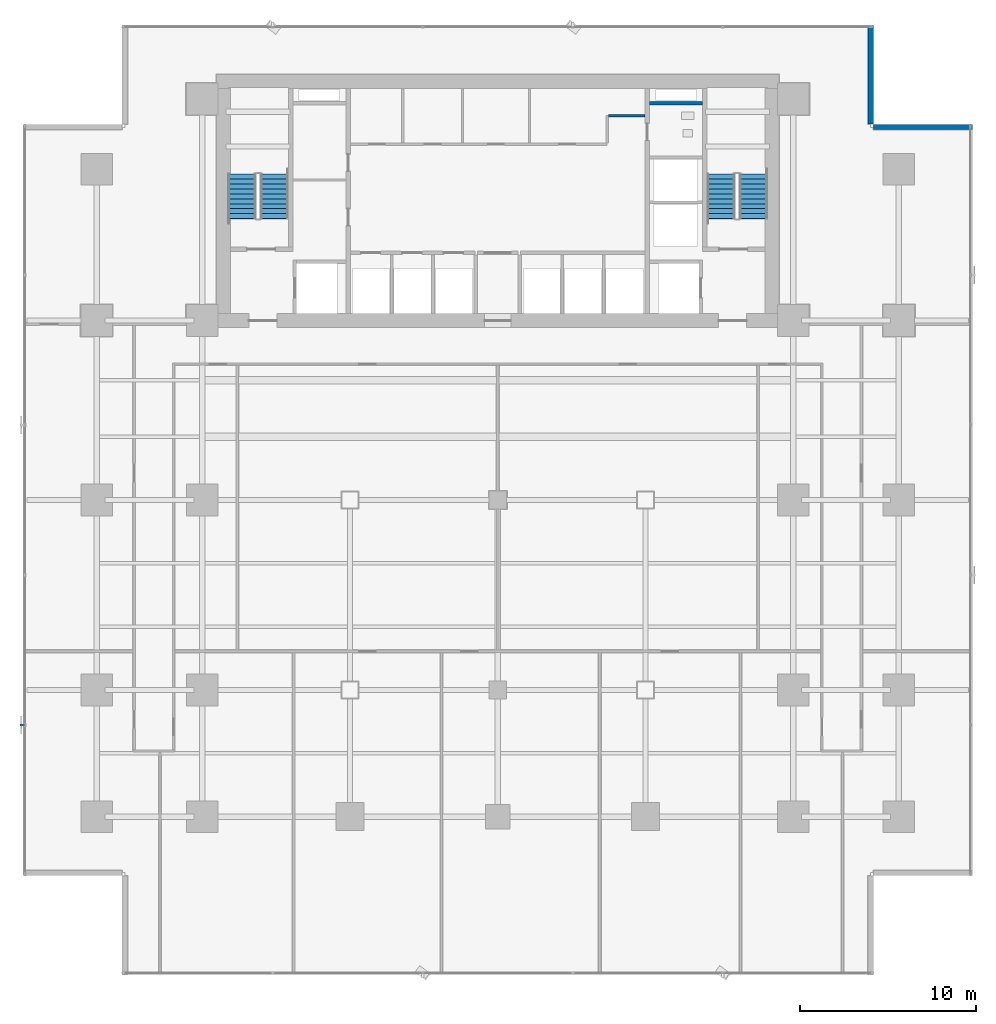
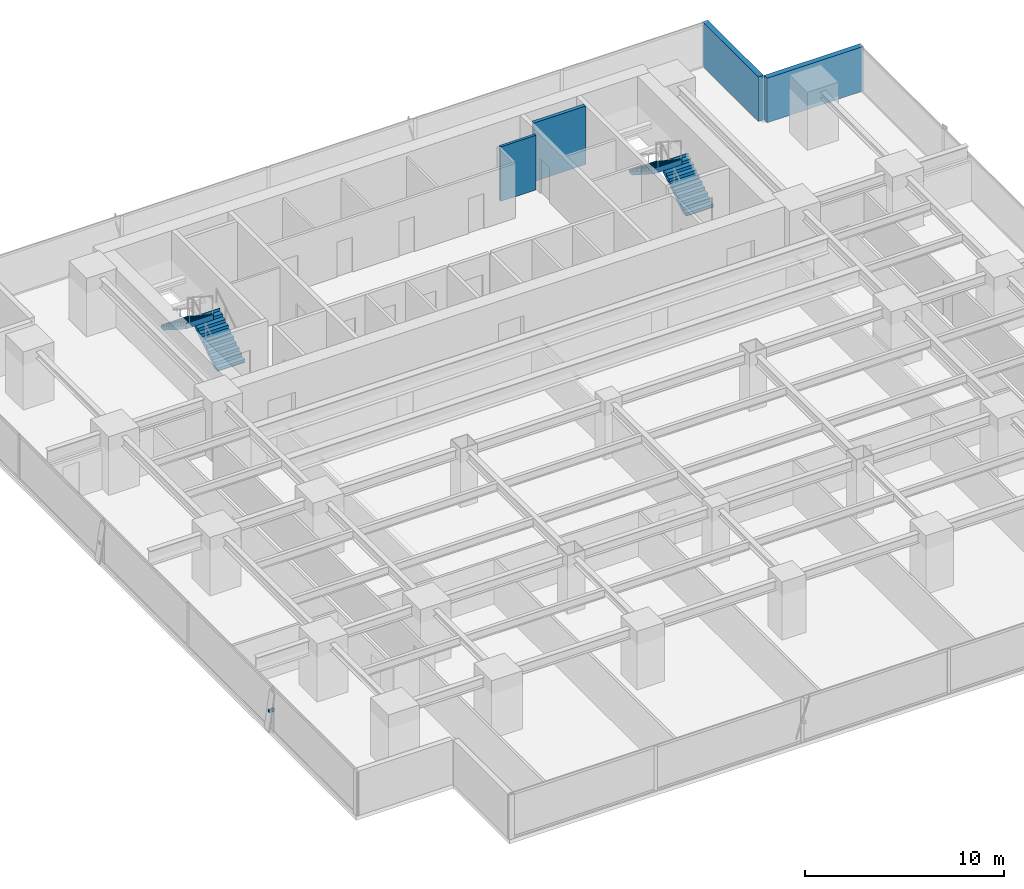
# One storey, part 27 of 34: 4 stair flights, 4 walls, 1 discrete accessory, 2 elements without a shape of their own.
"""IFC4 building model written with IfcOpenShell, lengths in metres."""

from ifc_helpers import new_model, si_unit, direction, frame, frame_2d, origin, origin_2d, place, context, subcontext, project, spatial, polyline, rectangle, outline, extrude, source, transform, mapped, material, layer, layer_set, material_profile, profile_set, type_object, element, aggregate, save


model = new_model("IFC4")

# Units and contexts
model_context = context("Model", 3, precision=1e-05, world=origin(), true_north=direction((0.0, 1.0)))
body_context = subcontext(model_context, "Body", "Model", "MODEL_VIEW")
ifc_project = project(units=[si_unit("LENGTHUNIT", "METRE"), si_unit("AREAUNIT", "SQUARE_METRE"), si_unit("VOLUMEUNIT", "CUBIC_METRE"), si_unit("PLANEANGLEUNIT", "RADIAN"), si_unit("MASSUNIT", "GRAM", prefix="KILO")], contexts=[model_context])

# Site, building, storey
site_placement = place(None, origin())
site = spatial("IfcSite", under=ifc_project, at=site_placement, CompositionType="ELEMENT")
building_placement = place(site_placement, origin())
building = spatial("IfcBuilding", under=site, at=building_placement, Name="Sumidabori Civic Tower", CompositionType="ELEMENT")
storey_placement = place(building_placement, frame((0.0, 0.0, 41.60009765625)))
storey = spatial("IfcBuildingStorey", under=building, at=storey_placement, Name="L10", CompositionType="ELEMENT", Elevation=41.60009765625)

# Walls
ifc_material_1 = material(Name="Concrete C50/60", Category="concrete")
ifc_layer_1 = layer(ifc_material_1, 0.199951171875, Name="Concrete C50/60")
ifc_layer_set_1 = layer_set([ifc_layer_1], Name="Concrete C50/60")
wall_type_1 = type_object("IfcWallType", Name="WL-SHAFT-200", PredefinedType="SHEAR", material=ifc_layer_set_1)
shared_shape_1 = source(origin(), body_context, "Body", "SweptSolid", [
    extrude(rectangle(XDim=3.02001953125, YDim=0.199951171875, at=frame_2d((1.510009765625, 0.0))), origin(), (0.0, 0.0, 1.0), 3.599853515625),
])
wall_1_placement = place(storey_placement, frame((8.625, 22.550048828125, 0.0), z_axis=(0.0, 0.0, 1.0), x_axis=(1.0, 0.0, 0.0)))
element("IfcWall", 1, at=wall_1_placement, inside=storey, type_object=wall_type_1, Name="Core Shear Wall L10 RIS2-S", PredefinedType="SHEAR", context=body_context, shape_type="MappedRepresentation", body=[
    mapped(shared_shape_1, transform((0.0, 0.0, 0.0), x_axis=(1.0, 0.0, 0.0), y_axis=(0.0, 1.0, 0.0), z_axis=(0.0, 0.0, 1.0), scale=1.0)),
])
ifc_material_2 = material(Name="Precast concrete C40/50", Category="concrete")
ifc_layer_2 = layer(ifc_material_2, 0.300048828125, Name="Precast concrete C40/50")
ifc_layer_set_2 = layer_set([ifc_layer_2], Name="Precast concrete C40/50")
wall_type_2 = type_object("IfcWallType", Name="WL-EXT-POD300", PredefinedType="STANDARD", material=ifc_layer_set_2)
shared_shape_2 = source(origin(), body_context, "Body", "SweptSolid", [
    extrude(rectangle(XDim=5.60986328125, YDim=0.300048828125, at=frame_2d((2.804931640625, 0.0))), origin(), (0.0, 0.0, 1.0), 2.739990234375),
])
for number, where, z_axis, x_axis, name in (
    (2, (26.97998046875, 21.199951171875, 0.0), (0.0, 0.0, 1.0), (-1.0, 0.0, 0.0), "Notched Corner Spandrel Band L10-05"),
    (3, (21.199951171875, 21.3701171875, 0.0), (0.0, 0.0, 1.0), (0.0, 1.0, 0.0), "Notched Corner Spandrel Band L10-06"),
):
    element("IfcWall", number, at=place(storey_placement, frame(where, z_axis=z_axis, x_axis=x_axis)), inside=storey, type_object=wall_type_2, Name=name, PredefinedType="STANDARD", context=body_context, shape_type="MappedRepresentation", body=[
        mapped(shared_shape_2, transform((0.0, 0.0, 0.0), x_axis=(1.0, 0.0, 0.0), y_axis=(0.0, 1.0, 0.0), z_axis=(0.0, 0.0, 1.0), scale=1.0)),
    ])
ifc_material_3 = material(Name="Gypsum Plasterboard Acoustic Partition")
ifc_layer_3 = layer(ifc_material_3, 0.14990234375, Name="Gypsum Plasterboard Acoustic Partition")
ifc_layer_set_3 = layer_set([ifc_layer_3], Name="Gypsum Plasterboard Acoustic Partition")
wall_type_3 = type_object("IfcWallType", Name="WL-PART-150", PredefinedType="PARTITIONING", material=ifc_layer_set_3)
shared_shape_3 = source(origin(), body_context, "Body", "SweptSolid", [
    extrude(rectangle(XDim=2.070068359375, YDim=0.14990234375, at=frame_2d((1.03515625, 0.0))), origin(), (0.0, 0.0, 1.0), 3.35986328125),
])
wall_2_placement = place(storey_placement, frame((6.300048828125, 21.85009765625, 0.0), z_axis=(0.0, 0.0, 1.0), x_axis=(1.0, 0.0, 0.0)))
element("IfcWall", 4, at=wall_2_placement, inside=storey, type_object=wall_type_3, Name="Interior Partition WL:L10:CBAND-ME2", PredefinedType="PARTITIONING", context=body_context, shape_type="MappedRepresentation", body=[
    mapped(shared_shape_3, transform((0.0, 0.0, 0.0), x_axis=(1.0, 0.0, 0.0), y_axis=(0.0, 1.0, 0.0), z_axis=(0.0, 0.0, 1.0), scale=1.0)),
])

# Stair, stair flights
ifc_material_4 = material(Name="Concrete C40/50", Category="concrete")
stair_type = type_object("IfcStairType", Name="ST-CORE-1600", PredefinedType="HALF_TURN_STAIR", material=ifc_material_4)
stair_1_placement = place(storey_placement, origin())
stair_1 = element("IfcStair", 5, at=stair_1_placement, inside=storey, type_object=stair_type, Name="L10 ST-1", PredefinedType="HALF_TURN_STAIR")
stair_flight_type = type_object("IfcStairFlightType", Name="SF-CORE-1600", PredefinedType="STRAIGHT", material=ifc_material_4)
shared_shape_4 = source(origin(), body_context, "Body", "SweptSolid", [
    extrude(outline(polyline([(-0.02490234375, 0.0), (-0.02490234375, 0.0400390625), (0.0, 0.0400390625), (0.0, 0.179931640625), (0.280029296875, 0.179931640625), (0.280029296875, 0.360107421875), (0.56005859375, 0.360107421875), (0.56005859375, 0.5400390625), (0.840087890625, 0.5400390625), (0.840087890625, 0.719970703125), (1.1201171875, 0.719970703125), (1.1201171875, 0.89990234375), (1.39990234375, 0.89990234375), (1.39990234375, 1.080078125), (1.679931640625, 1.080078125), (1.679931640625, 1.260009765625), (1.9599609375, 1.260009765625), (1.9599609375, 1.43994140625), (2.239990234375, 1.43994140625), (2.239990234375, 1.6201171875), (2.52001953125, 1.6201171875), (2.52001953125, 1.800048828125), (2.544921875, 1.800048828125), (2.544921875, 1.650146484375), (2.52001953125, 1.44189453125), (0.277099609375, 0.0), (-0.02490234375, 0.0)])), frame((0.0, 0.800048828125, 0.0), z_axis=(0.0, -1.0, 0.0), x_axis=(1.0, 0.0, 0.0)), (0.0, 0.0, 1.0), 1.60009765625),
])
stair_flight_1_placement = place(storey_placement, frame((-12.699951171875, 16.0, 0.0), z_axis=(0.0, 0.0, 1.0), x_axis=(0.0, 1.0, 0.0)))
stair_flight_1 = element("IfcStairFlight", 6, at=stair_flight_1_placement, type_object=stair_flight_type, Name="ST-1 flight 1", NumberOfRisers=10, NumberOfTreads=9, PredefinedType="STRAIGHT", RiserHeight=0.18, TreadLength=0.28, context=body_context, shape_type="MappedRepresentation", body=[
    mapped(shared_shape_4, transform((0.0, 0.0, 0.0), x_axis=(1.0, 0.0, 0.0), y_axis=(0.0, 1.0, 0.0), z_axis=(0.0, 0.0, 1.0), scale=1.0)),
])
stair_flight_2_placement = place(storey_placement, frame((-14.5400390625, 18.52001953125, 1.7998046875), z_axis=(0.0, 0.0, 1.0), x_axis=(0.0, -1.0, 0.0)))
stair_flight_2 = element("IfcStairFlight", 7, at=stair_flight_2_placement, type_object=stair_flight_type, Name="ST-1 flight 2", NumberOfRisers=10, NumberOfTreads=9, PredefinedType="STRAIGHT", RiserHeight=0.18, TreadLength=0.28, context=body_context, shape_type="MappedRepresentation", body=[
    mapped(shared_shape_4, transform((0.0, 0.0, 0.0), x_axis=(1.0, 0.0, 0.0), y_axis=(0.0, 1.0, 0.0), z_axis=(0.0, 0.0, 1.0), scale=1.0)),
])
aggregate(stair_1, [stair_flight_1, stair_flight_2])

stair_2_placement = place(storey_placement, origin())
stair_2 = element("IfcStair", 8, at=stair_2_placement, inside=storey, type_object=stair_type, Name="L10 ST-2", PredefinedType="HALF_TURN_STAIR")
stair_flight_3_placement = place(storey_placement, frame((14.5400390625, 16.0, 0.0), z_axis=(0.0, 0.0, 1.0), x_axis=(0.0, 1.0, 0.0)))
stair_flight_3 = element("IfcStairFlight", 9, at=stair_flight_3_placement, type_object=stair_flight_type, Name="ST-2 flight 1", NumberOfRisers=10, NumberOfTreads=9, PredefinedType="STRAIGHT", RiserHeight=0.18, TreadLength=0.28, context=body_context, shape_type="MappedRepresentation", body=[
    mapped(shared_shape_4, transform((0.0, 0.0, 0.0), x_axis=(1.0, 0.0, 0.0), y_axis=(0.0, 1.0, 0.0), z_axis=(0.0, 0.0, 1.0), scale=1.0)),
])
stair_flight_4_placement = place(storey_placement, frame((12.699951171875, 18.52001953125, 1.7998046875), z_axis=(0.0, 0.0, 1.0), x_axis=(0.0, -1.0, 0.0)))
stair_flight_4 = element("IfcStairFlight", 10, at=stair_flight_4_placement, type_object=stair_flight_type, Name="ST-2 flight 2", NumberOfRisers=10, NumberOfTreads=9, PredefinedType="STRAIGHT", RiserHeight=0.18, TreadLength=0.28, context=body_context, shape_type="MappedRepresentation", body=[
    mapped(shared_shape_4, transform((0.0, 0.0, 0.0), x_axis=(1.0, 0.0, 0.0), y_axis=(0.0, 1.0, 0.0), z_axis=(0.0, 0.0, 1.0), scale=1.0)),
])
aggregate(stair_2, [stair_flight_3, stair_flight_4])

# Discrete accessory
ifc_material_5 = material(Name="Stainless Steel Hairline Finish", Category="steel")
ifc_material_profile = material_profile(ifc_material_5, rectangle(XDim=0.1201171875, YDim=0.179931640625, at=origin_2d()), Name="STEEL BRACKET 180x120")
ifc_profile_set = profile_set([ifc_material_profile], Name="Stainless Steel Hairline Finish")
discrete_accessory_type = type_object("IfcDiscreteAccessoryType", Name="AC-BRK-180", PredefinedType="BRACKET", material=ifc_profile_set)
shared_shape_5 = source(origin(), body_context, "Body", "SweptSolid", [
    extrude(rectangle(XDim=0.1201171875, YDim=0.179931640625, at=origin_2d()), origin(), (0.0, 0.0, 1.0), 0.329833984375),
])
discrete_accessory_placement = place(storey_placement, frame((-26.830078125, -12.7919921875, 1.35986328125), z_axis=(-1.0, 0.0, 0.0), x_axis=(0.0, -1.0, 0.0)))
element("IfcDiscreteAccessory", 11, at=discrete_accessory_placement, inside=storey, type_object=discrete_accessory_type, Name="Bronze Fin Fixing Bracket L10-04", PredefinedType="BRACKET", context=body_context, shape_type="MappedRepresentation", body=[
    mapped(shared_shape_5, transform((0.0, 0.0, 0.0), x_axis=(1.0, 0.0, 0.0), y_axis=(0.0, 1.0, 0.0), z_axis=(0.0, 0.0, 1.0), scale=1.0)),
])

save(model, "model.ifc")
